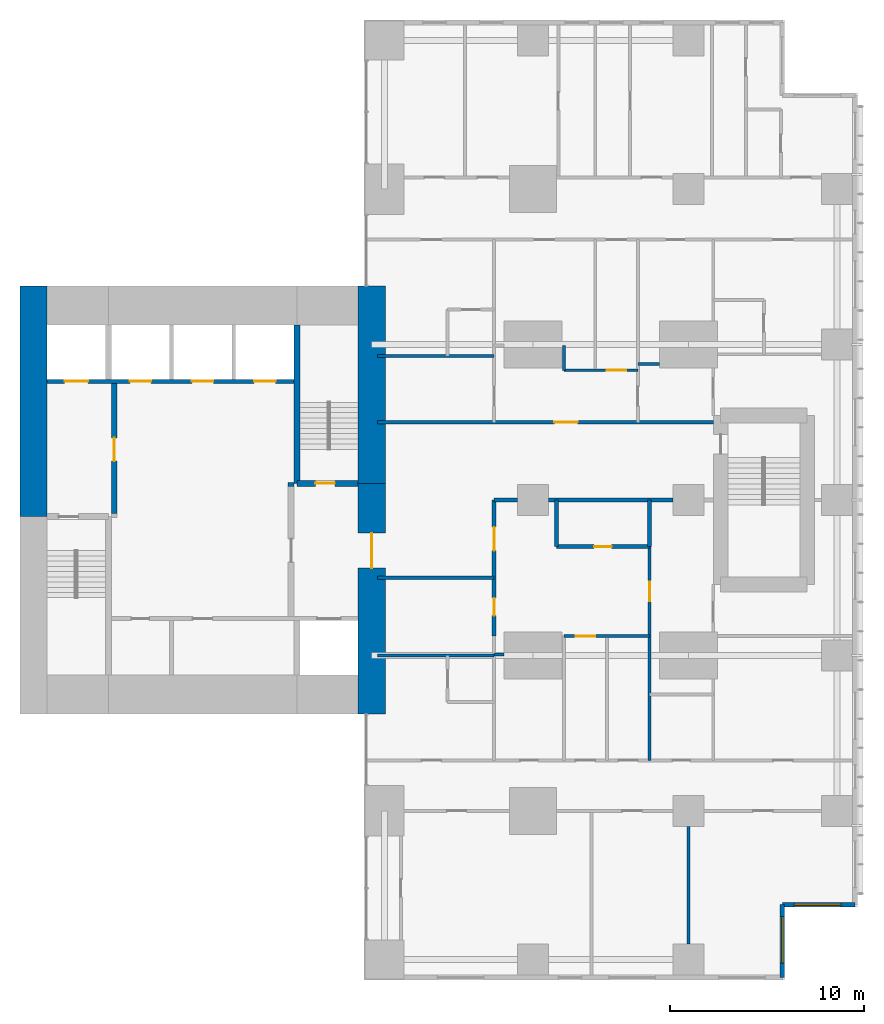
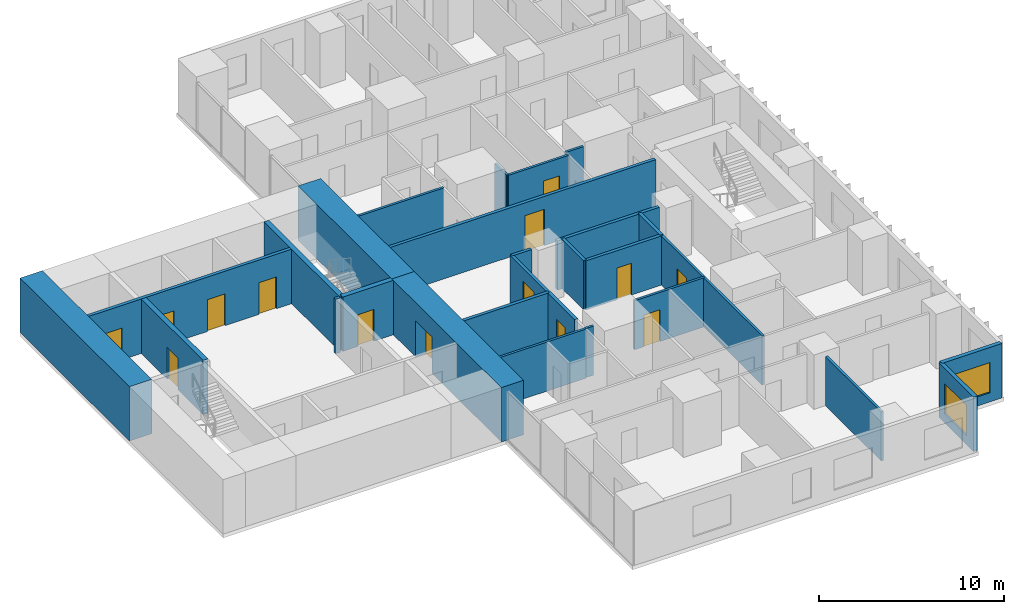
# One storey, part 8 of 12: 27 walls, 14 doors, 2 windows, 16 openings.
"""IFC4 building model written with IfcOpenShell, lengths in metres."""

from ifc_helpers import new_model, si_unit, direction, frame, frame_2d, origin, place, context, subcontext, project, spatial, rectangle, extrude, material, layer, layer_set, type_object, element, fill, save


model = new_model("IFC4")

# Units and contexts
model_context = context("Model", 3, precision=1e-05, world=origin(), true_north=direction((0.0, 1.0)))
body_context = subcontext(model_context, "Body", "Model", "MODEL_VIEW")
ifc_project = project(units=[si_unit("LENGTHUNIT", "METRE"), si_unit("AREAUNIT", "SQUARE_METRE"), si_unit("VOLUMEUNIT", "CUBIC_METRE"), si_unit("PLANEANGLEUNIT", "RADIAN"), si_unit("MASSUNIT", "GRAM", prefix="KILO")], contexts=[model_context])

# Site, building, storey
site_placement = place(None, origin())
site = spatial("IfcSite", under=ifc_project, at=site_placement, CompositionType="ELEMENT")
building_placement = place(site_placement, origin())
building = spatial("IfcBuilding", under=site, at=building_placement, Name="Cleftline Residences", CompositionType="ELEMENT")
storey_placement = place(building_placement, frame((0.0, 0.0, 273.60009765625)))
storey = spatial("IfcBuildingStorey", under=building, at=storey_placement, Name="L72", CompositionType="ELEMENT", Elevation=273.60009765625)

# Wall
ifc_material_1 = material(Name="Concrete B70", Category="concrete")
ifc_layer_1 = layer(ifc_material_1, 1.39990234375)
ifc_layer_set_1 = layer_set([ifc_layer_1], Name="CORE WALL 1400")
wall_type_1 = type_object("IfcWallType", Name="CORE WALL 1400", PredefinedType="SHEAR", material=ifc_layer_set_1)
wall_1_placement = place(storey_placement, frame((24.300048828125, 23.14990234375, 0.0), z_axis=(0.0, 0.0, 1.0), x_axis=(0.0, 1.0, 0.0)))
element("IfcWall", 1, at=wall_1_placement, inside=storey, type_object=wall_type_1, Name="Core wall W", PredefinedType="SHEAR", context=body_context, shape_type="SweptSolid", body=[
    extrude(rectangle(XDim=11.85009765625, YDim=1.39990234375, at=frame_2d((5.925048828125, 0.0))), origin(), (0.0, 0.0, 1.0), 3.599853515625),
])

# Wall, opening, door
wall_2_placement = place(storey_placement, frame((41.699951171875, 13.0, 0.0), z_axis=(0.0, 0.0, 1.0), x_axis=(0.0, 1.0, 0.0)))
wall_2 = element("IfcWall", 2, at=wall_2_placement, inside=storey, type_object=wall_type_1, Name="Core wall E", PredefinedType="SHEAR", context=body_context, shape_type="SweptSolid", body=[
    extrude(rectangle(XDim=11.85009765625, YDim=1.39990234375, at=frame_2d((5.925048828125, 0.0))), origin(), (0.0, 0.0, 1.0), 3.599853515625),
])
opening_1_placement = place(wall_2_placement, frame((7.5, 0.0, 0.0)))
opening_1 = element("IfcOpeningElement", 3, at=opening_1_placement, cuts=wall_2, Name="Opening D7", PredefinedType="OPENING", context=body_context, shape_type="SweptSolid", body=[
    extrude(rectangle(XDim=1.800048828125, YDim=2.39990234375, at=frame_2d((0.89990234375, 1.199951171875))), frame((0.0, 0.7099609375, 0.0), z_axis=(0.0, -1.0, 0.0), x_axis=(1.0, 0.0, 0.0)), (0.0, 0.0, 1.0), 1.419921875),
])
ifc_material_2 = material(Name="Steel", Category="steel")
door_type_1 = type_object("IfcDoorType", Name="WING DOOR 1800X2400", OperationType="DOUBLE_DOOR_DOUBLE_SWING", PredefinedType="DOOR", material=ifc_material_2)
door_1_placement = place(opening_1_placement, origin())
door_1 = element("IfcDoor", 4, at=door_1_placement, inside=storey, type_object=door_type_1, Name="East wing door", OperationType="DOUBLE_DOOR_DOUBLE_SWING", OverallHeight=2.39990234375, OverallWidth=1.800048828125, PredefinedType="DOOR", context=body_context, shape_type="SweptSolid", body=[
    extrude(rectangle(XDim=1.800048828125, YDim=2.39990234375, at=frame_2d((0.89990234375, 1.199951171875))), frame((0.0, 0.02490234375, 0.0), z_axis=(0.0, -1.0, 0.0), x_axis=(1.0, 0.0, 0.0)), (0.0, 0.0, 1.0), 0.050048828125),
])
fill(opening_1, door_1)

# Walls
wall_3_placement = place(storey_placement, frame((41.699951171875, 24.85009765625, 0.0), z_axis=(0.0, 0.0, 1.0), x_axis=(0.0, 1.0, 0.0)))
element("IfcWall", 5, at=wall_3_placement, inside=storey, type_object=wall_type_1, Name="Core wall E1", PredefinedType="SHEAR", context=body_context, shape_type="SweptSolid", body=[
    extrude(rectangle(XDim=10.14990234375, YDim=1.39990234375, at=frame_2d((5.074951171875, 0.0))), origin(), (0.0, 0.0, 1.0), 3.599853515625),
])
ifc_material_3 = material(Name="Concrete B70", Category="concrete")
ifc_layer_2 = layer(ifc_material_3, 0.300048828125)
ifc_layer_set_2 = layer_set([ifc_layer_2], Name="CORE WALL 300")
wall_type_2 = type_object("IfcWallType", Name="CORE WALL 300", PredefinedType="SHEAR", material=ifc_layer_set_2)
wall_4_placement = place(storey_placement, frame((37.85009765625, 24.85009765625, 0.0), z_axis=(0.0, 0.0, 1.0), x_axis=(0.0, 1.0, 0.0)))
element("IfcWall", 6, at=wall_4_placement, inside=storey, type_object=wall_type_2, Name="Core wall SB-W", PredefinedType="SHEAR", context=body_context, shape_type="SweptSolid", body=[
    extrude(rectangle(XDim=8.14990234375, YDim=0.300048828125, at=frame_2d((4.074951171875, 0.0))), origin(), (0.0, 0.0, 1.0), 3.599853515625),
])

# Wall, opening, door
wall_5_placement = place(storey_placement, frame((37.85009765625, 24.85009765625, 0.0), z_axis=(0.0, 0.0, 1.0), x_axis=(1.0, 0.0, 0.0)))
wall_5 = element("IfcWall", 7, at=wall_5_placement, inside=storey, type_object=wall_type_2, Name="Core wall SB-S", PredefinedType="SHEAR", context=body_context, shape_type="SweptSolid", body=[
    extrude(rectangle(XDim=3.14990234375, YDim=0.300048828125, at=frame_2d((1.574951171875, 0.0))), origin(), (0.0, 0.0, 1.0), 3.599853515625),
])
opening_2_placement = place(wall_5_placement, frame((0.949951171875, 0.0, 0.0)))
opening_2 = element("IfcOpeningElement", 8, at=opening_2_placement, cuts=wall_5, Name="Opening D5", PredefinedType="OPENING", context=body_context, shape_type="SweptSolid", body=[
    extrude(rectangle(XDim=1.0, YDim=2.10009765625, at=frame_2d((0.5, 1.050048828125))), frame((0.0, 0.159912109375, 0.0), z_axis=(0.0, -1.0, 0.0), x_axis=(1.0, 0.0, 0.0)), (0.0, 0.0, 1.0), 0.320068359375),
])
ifc_material_4 = material(Name="Steel", Category="steel")
door_type_2 = type_object("IfcDoorType", Name="STAIR DOOR 1000X2100", OperationType="SINGLE_SWING_LEFT", PredefinedType="DOOR", material=ifc_material_4)
door_2_placement = place(opening_2_placement, origin())
door_2 = element("IfcDoor", 9, at=door_2_placement, inside=storey, type_object=door_type_2, Name="Stair B door", OperationType="SINGLE_SWING_RIGHT", OverallHeight=2.10009765625, OverallWidth=1.0, PredefinedType="DOOR", context=body_context, shape_type="SweptSolid", body=[
    extrude(rectangle(XDim=1.0, YDim=2.10009765625, at=frame_2d((0.5, 1.050048828125))), frame((0.0, 0.02490234375, 0.0), z_axis=(0.0, -1.0, 0.0), x_axis=(1.0, 0.0, 0.0)), (0.0, 0.0, 1.0), 0.050048828125),
])
fill(opening_2, door_2)

# Wall, opening, window
ifc_material_5 = material(Name="Rendered reinforced concrete blockwork", Category="masonry")
ifc_layer_3 = layer(ifc_material_5, 0.25)
ifc_layer_set_3 = layer_set([ifc_layer_3], Name="EXTERNAL WALL 250")
wall_type_3 = type_object("IfcWallType", Name="EXTERNAL WALL 250", PredefinedType="SOLIDWALL", material=ifc_layer_set_3)
wall_6_placement = place(storey_placement, frame((62.824951171875, -0.574951171875, 0.0), z_axis=(0.0, 0.0, 1.0), x_axis=(0.0, 1.0, 0.0)))
wall_6 = element("IfcWall", 10, at=wall_6_placement, inside=storey, type_object=wall_type_3, Name="External wall", PredefinedType="SOLIDWALL", context=body_context, shape_type="SweptSolid", body=[
    extrude(rectangle(XDim=3.75, YDim=0.25, at=frame_2d((1.875, 0.0))), origin(), (0.0, 0.0, 1.0), 3.599853515625),
])
opening_3_placement = place(wall_6_placement, frame((0.737548828125, 0.0, 0.60009765625)))
opening_3 = element("IfcOpeningElement", 11, at=opening_3_placement, cuts=wall_6, Name="Opening W6", PredefinedType="OPENING", context=body_context, shape_type="SweptSolid", body=[
    extrude(rectangle(XDim=2.39990234375, YDim=2.0, at=frame_2d((1.199951171875, 1.0))), frame((0.0, 0.135009765625, 0.0), z_axis=(0.0, -1.0, 0.0), x_axis=(1.0, 0.0, 0.0)), (0.0, 0.0, 1.0), 0.27001953125),
])
ifc_material_6 = material(Name="Aluminium frame, clear double glazing", Category="aluminium")
window_type = type_object("IfcWindowType", Name="WINDOW 2400X2000", PartitioningType="DOUBLE_PANEL_VERTICAL", PredefinedType="WINDOW", material=ifc_material_6)
window_1_placement = place(opening_3_placement, origin())
window_1 = element("IfcWindow", 12, at=window_1_placement, inside=storey, type_object=window_type, Name="Window", OverallHeight=2.0, OverallWidth=2.39990234375, PartitioningType="SINGLE_PANEL", PredefinedType="WINDOW", context=body_context, shape_type="SweptSolid", body=[
    extrude(rectangle(XDim=2.39990234375, YDim=2.0, at=frame_2d((1.199951171875, 1.0))), frame((0.0, 0.030029296875, 0.0), z_axis=(0.0, -1.0, 0.0), x_axis=(1.0, 0.0, 0.0)), (0.0, 0.0, 1.0), 0.06005859375),
])
fill(opening_3, window_1)

wall_7_placement = place(storey_placement, frame((62.824951171875, 3.175048828125, 0.0), z_axis=(0.0, 0.0, 1.0), x_axis=(1.0, 0.0, 0.0)))
wall_7 = element("IfcWall", 13, at=wall_7_placement, inside=storey, type_object=wall_type_3, Name="External wall", PredefinedType="SOLIDWALL", context=body_context, shape_type="SweptSolid", body=[
    extrude(rectangle(XDim=3.75, YDim=0.25, at=frame_2d((1.875, 0.0))), origin(), (0.0, 0.0, 1.0), 3.599853515625),
])
opening_4_placement = place(wall_7_placement, frame((0.612548828125, 0.0, 0.60009765625)))
opening_4 = element("IfcOpeningElement", 14, at=opening_4_placement, cuts=wall_7, Name="Opening W6", PredefinedType="OPENING", context=body_context, shape_type="SweptSolid", body=[
    extrude(rectangle(XDim=2.39990234375, YDim=2.0, at=frame_2d((1.199951171875, 1.0))), frame((0.0, 0.135009765625, 0.0), z_axis=(0.0, -1.0, 0.0), x_axis=(1.0, 0.0, 0.0)), (0.0, 0.0, 1.0), 0.27001953125),
])
window_2_placement = place(opening_4_placement, origin())
window_2 = element("IfcWindow", 15, at=window_2_placement, inside=storey, type_object=window_type, Name="Window", OverallHeight=2.0, OverallWidth=2.39990234375, PartitioningType="SINGLE_PANEL", PredefinedType="WINDOW", context=body_context, shape_type="SweptSolid", body=[
    extrude(rectangle(XDim=2.39990234375, YDim=2.0, at=frame_2d((1.199951171875, 1.0))), frame((0.0, 0.030029296875, 0.0), z_axis=(0.0, -1.0, 0.0), x_axis=(1.0, 0.0, 0.0)), (0.0, 0.0, 1.0), 0.06005859375),
])
fill(opening_4, window_2)

# Wall
ifc_material_7 = material(Name="Concrete blockwork, fire rated", Category="masonry")
ifc_layer_4 = layer(ifc_material_7, 0.199951171875)
ifc_layer_set_4 = layer_set([ifc_layer_4], Name="FIRE WALL 200")
wall_type_4 = type_object("IfcWallType", Name="FIRE WALL 200", PredefinedType="PARTITIONING", material=ifc_layer_set_4)
wall_8_placement = place(storey_placement, frame((42.0, 20.0, 0.0), z_axis=(0.0, 0.0, 1.0), x_axis=(1.0, 0.0, 0.0)))
element("IfcWall", 16, at=wall_8_placement, inside=storey, type_object=wall_type_4, Name="Fire separating wall", PredefinedType="PARTITIONING", context=body_context, shape_type="SweptSolid", body=[
    extrude(rectangle(XDim=6.0, YDim=0.199951171875, at=frame_2d((3.0, 0.0))), origin(), (0.0, 0.0, 1.0), 3.25),
])

# Wall, opening, door
wall_9_placement = place(storey_placement, frame((51.199951171875, 21.60009765625, 0.0), z_axis=(0.0, 0.0, 1.0), x_axis=(1.0, 0.0, 0.0)))
wall_9 = element("IfcWall", 17, at=wall_9_placement, inside=storey, type_object=wall_type_4, Name="Fire separating wall", PredefinedType="PARTITIONING", context=body_context, shape_type="SweptSolid", body=[
    extrude(rectangle(XDim=4.800048828125, YDim=0.199951171875, at=frame_2d((2.39990234375, 0.0))), origin(), (0.0, 0.0, 1.0), 3.25),
])
opening_5_placement = place(wall_9_placement, frame((1.949951171875, 0.0, 0.0)))
opening_5 = element("IfcOpeningElement", 18, at=opening_5_placement, cuts=wall_9, Name="Opening D1F30", PredefinedType="OPENING", context=body_context, shape_type="SweptSolid", body=[
    extrude(rectangle(XDim=0.89990234375, YDim=2.10009765625, at=frame_2d((0.449951171875, 1.050048828125))), frame((0.0, 0.10986328125, 0.0), z_axis=(0.0, -1.0, 0.0), x_axis=(1.0, 0.0, 0.0)), (0.0, 0.0, 1.0), 0.219970703125),
])
ifc_material_8 = material(Name="Timber veneer on solid core", Category="wood")
door_type_3 = type_object("IfcDoorType", Name="DOOR 900X2100 EI 30", OperationType="SINGLE_SWING_LEFT", PredefinedType="DOOR", material=ifc_material_8)
door_3_placement = place(opening_5_placement, origin())
door_3 = element("IfcDoor", 19, at=door_3_placement, inside=storey, type_object=door_type_3, Name="Door to cloakroom wc", OperationType="SINGLE_SWING_LEFT", OverallHeight=2.10009765625, OverallWidth=0.89990234375, PredefinedType="DOOR", context=body_context, shape_type="SweptSolid", body=[
    extrude(rectangle(XDim=0.89990234375, YDim=2.10009765625, at=frame_2d((0.449951171875, 1.050048828125))), frame((0.0, 0.02490234375, 0.0), z_axis=(0.0, -1.0, 0.0), x_axis=(1.0, 0.0, 0.0)), (0.0, 0.0, 1.0), 0.050048828125),
])
fill(opening_5, door_3)

# Walls
wall_10_placement = place(storey_placement, frame((48.0, 24.0, 0.0), z_axis=(0.0, 0.0, 1.0), x_axis=(1.0, 0.0, 0.0)))
element("IfcWall", 20, at=wall_10_placement, inside=storey, type_object=wall_type_4, Name="Fire separating wall", PredefinedType="PARTITIONING", context=body_context, shape_type="SweptSolid", body=[
    extrude(rectangle(XDim=1.199951171875, YDim=0.199951171875, at=frame_2d((0.60009765625, 0.0))), origin(), (0.0, 0.0, 1.0), 3.25),
])
wall_11_placement = place(storey_placement, frame((50.800048828125, 24.0, 0.0), z_axis=(0.0, 0.0, 1.0), x_axis=(1.0, 0.0, 0.0)))
element("IfcWall", 21, at=wall_11_placement, inside=storey, type_object=wall_type_4, Name="Fire separating wall", PredefinedType="PARTITIONING", context=body_context, shape_type="SweptSolid", body=[
    extrude(rectangle(XDim=6.39990234375, YDim=0.199951171875, at=frame_2d((3.199951171875, 0.0))), origin(), (0.0, 0.0, 1.0), 3.25),
])

# Wall, opening, door
wall_12_placement = place(storey_placement, frame((42.0, 28.0, 0.0), z_axis=(0.0, 0.0, 1.0), x_axis=(1.0, 0.0, 0.0)))
wall_12 = element("IfcWall", 22, at=wall_12_placement, inside=storey, type_object=wall_type_4, Name="Fire separating wall", PredefinedType="PARTITIONING", context=body_context, shape_type="SweptSolid", body=[
    extrude(rectangle(XDim=17.27490234375, YDim=0.199951171875, at=frame_2d((8.637451171875, 0.0))), origin(), (0.0, 0.0, 1.0), 3.25),
])
opening_6_placement = place(wall_12_placement, frame((9.10009765625, 0.0, 0.0)))
opening_6 = element("IfcOpeningElement", 23, at=opening_6_placement, cuts=wall_12, Name="Opening D4", PredefinedType="OPENING", context=body_context, shape_type="SweptSolid", body=[
    extrude(rectangle(XDim=1.199951171875, YDim=2.39990234375, at=frame_2d((0.60009765625, 1.199951171875))), frame((0.0, 0.10986328125, 0.0), z_axis=(0.0, -1.0, 0.0), x_axis=(1.0, 0.0, 0.0)), (0.0, 0.0, 1.0), 0.219970703125),
])
ifc_material_9 = material(Name="Timber veneer on solid core", Category="wood")
door_type_4 = type_object("IfcDoorType", Name="APARTMENT ENTRANCE DOOR 1200X2400", OperationType="SINGLE_SWING_RIGHT", PredefinedType="DOOR", material=ifc_material_9)
door_4_placement = place(opening_6_placement, origin())
door_4 = element("IfcDoor", 24, at=door_4_placement, inside=storey, type_object=door_type_4, Name="Door to residence entrance (gallery)", OperationType="SINGLE_SWING_LEFT", OverallHeight=2.39990234375, OverallWidth=1.199951171875, PredefinedType="DOOR", context=body_context, shape_type="SweptSolid", body=[
    extrude(rectangle(XDim=1.199951171875, YDim=2.39990234375, at=frame_2d((0.60009765625, 1.199951171875))), frame((0.0, 0.02490234375, 0.0), z_axis=(0.0, -1.0, 0.0), x_axis=(1.0, 0.0, 0.0)), (0.0, 0.0, 1.0), 0.050048828125),
])
fill(opening_6, door_4)

# Wall, openings, doors
wall_13_placement = place(storey_placement, frame((48.0, 17.0, 0.0), z_axis=(0.0, 0.0, 1.0), x_axis=(0.0, 1.0, 0.0)))
wall_13 = element("IfcWall", 25, at=wall_13_placement, inside=storey, type_object=wall_type_4, Name="Fire separating wall", PredefinedType="PARTITIONING", context=body_context, shape_type="SweptSolid", body=[
    extrude(rectangle(XDim=7.0, YDim=0.199951171875, at=frame_2d((3.5, 0.0))), origin(), (0.0, 0.0, 1.0), 3.25),
])
opening_7_placement = place(wall_13_placement, frame((4.39990234375, 0.0, 0.0)))
opening_7 = element("IfcOpeningElement", 26, at=opening_7_placement, cuts=wall_13, Name="Opening D4", PredefinedType="OPENING", context=body_context, shape_type="SweptSolid", body=[
    extrude(rectangle(XDim=1.199951171875, YDim=2.39990234375, at=frame_2d((0.60009765625, 1.199951171875))), frame((0.0, 0.10986328125, 0.0), z_axis=(0.0, -1.0, 0.0), x_axis=(1.0, 0.0, 0.0)), (0.0, 0.0, 1.0), 0.219970703125),
])
opening_8_placement = place(wall_13_placement, frame((1.050048828125, 0.0, 0.0)))
opening_8 = element("IfcOpeningElement", 27, at=opening_8_placement, cuts=wall_13, Name="Opening D1F30", PredefinedType="OPENING", context=body_context, shape_type="SweptSolid", body=[
    extrude(rectangle(XDim=0.89990234375, YDim=2.10009765625, at=frame_2d((0.449951171875, 1.050048828125))), frame((0.0, 0.10986328125, 0.0), z_axis=(0.0, -1.0, 0.0), x_axis=(1.0, 0.0, 0.0)), (0.0, 0.0, 1.0), 0.219970703125),
])
door_5_placement = place(opening_7_placement, origin())
door_5 = element("IfcDoor", 28, at=door_5_placement, inside=storey, type_object=door_type_4, Name="Door to residence entrance foyer", OperationType="SINGLE_SWING_LEFT", OverallHeight=2.39990234375, OverallWidth=1.199951171875, PredefinedType="DOOR", context=body_context, shape_type="SweptSolid", body=[
    extrude(rectangle(XDim=1.199951171875, YDim=2.39990234375, at=frame_2d((0.60009765625, 1.199951171875))), frame((0.0, 0.02490234375, 0.0), z_axis=(0.0, -1.0, 0.0), x_axis=(1.0, 0.0, 0.0)), (0.0, 0.0, 1.0), 0.050048828125),
])
fill(opening_7, door_5)
door_6_placement = place(opening_8_placement, origin())
door_6 = element("IfcDoor", 29, at=door_6_placement, inside=storey, type_object=door_type_3, Name="Door to laundry", OperationType="SINGLE_SWING_RIGHT", OverallHeight=2.10009765625, OverallWidth=0.89990234375, PredefinedType="DOOR", context=body_context, shape_type="SweptSolid", body=[
    extrude(rectangle(XDim=0.89990234375, YDim=2.10009765625, at=frame_2d((0.449951171875, 1.050048828125))), frame((0.0, 0.02490234375, 0.0), z_axis=(0.0, -1.0, 0.0), x_axis=(1.0, 0.0, 0.0)), (0.0, 0.0, 1.0), 0.050048828125),
])
fill(opening_8, door_6)

# Walls
for number, where, z_axis, x_axis, name in (
    (30, (51.199951171875, 21.60009765625, 0.0), (0.0, 0.0, 1.0), (0.0, 1.0, 0.0), "Fire separating wall"),
    (31, (56.0, 21.60009765625, 0.0), (0.0, 0.0, 1.0), (0.0, 1.0, 0.0), "Fire separating wall"),
):
    element("IfcWall", number, at=place(storey_placement, frame(where, z_axis=z_axis, x_axis=x_axis)), inside=storey, type_object=wall_type_4, Name=name, PredefinedType="PARTITIONING", context=body_context, shape_type="SweptSolid", body=[
        extrude(rectangle(XDim=2.39990234375, YDim=0.199951171875, at=frame_2d((1.199951171875, 0.0))), origin(), (0.0, 0.0, 1.0), 3.25),
    ])
wall_14_placement = place(storey_placement, frame((37.39990234375, 24.800048828125, 0.0), z_axis=(0.0, 0.0, 1.0), x_axis=(1.0, 0.0, 0.0)))
element("IfcWall", 32, at=wall_14_placement, inside=storey, type_object=wall_type_4, Name="Fire separating wall", PredefinedType="PARTITIONING", context=body_context, shape_type="SweptSolid", body=[
    extrude(rectangle(XDim=0.300048828125, YDim=0.199951171875, at=frame_2d((0.14990234375, 0.0))), origin(), (0.0, 0.0, 1.0), 3.599853515625),
])
ifc_material_10 = material(Name="Gypsum board on steel studs", Category="steel")
ifc_layer_5 = layer(ifc_material_10, 0.14990234375)
ifc_layer_set_5 = layer_set([ifc_layer_5], Name="PARTITION 150")
wall_type_5 = type_object("IfcWallType", Name="PARTITION 150", PredefinedType="PARTITIONING", material=ifc_layer_set_5)
wall_15_placement = place(storey_placement, frame((42.0, 16.0, 0.0), z_axis=(0.0, 0.0, 1.0), x_axis=(1.0, 0.0, 0.0)))
element("IfcWall", 33, at=wall_15_placement, inside=storey, type_object=wall_type_5, Name="Partition", PredefinedType="PARTITIONING", context=body_context, shape_type="SweptSolid", body=[
    extrude(rectangle(XDim=6.0, YDim=0.14990234375, at=frame_2d((3.0, 0.0))), origin(), (0.0, 0.0, 1.0), 3.25),
])
wall_16_placement = place(storey_placement, frame((48.0, 16.050048828125, 0.0), z_axis=(0.0, 0.0, 1.0), x_axis=(1.0, 0.0, 0.0)))
element("IfcWall", 34, at=wall_16_placement, inside=storey, type_object=wall_type_5, Name="Partition", PredefinedType="PARTITIONING", context=body_context, shape_type="SweptSolid", body=[
    extrude(rectangle(XDim=0.5, YDim=0.14990234375, at=frame_2d((0.25, 0.0))), origin(), (0.0, 0.0, 1.0), 3.25),
])

# Wall, opening, door
wall_17_placement = place(storey_placement, frame((51.60009765625, 17.0, 0.0), z_axis=(0.0, 0.0, 1.0), x_axis=(1.0, 0.0, 0.0)))
wall_17 = element("IfcWall", 35, at=wall_17_placement, inside=storey, type_object=wall_type_5, Name="Partition", PredefinedType="PARTITIONING", context=body_context, shape_type="SweptSolid", body=[
    extrude(rectangle(XDim=4.39990234375, YDim=0.14990234375, at=frame_2d((2.199951171875, 0.0))), origin(), (0.0, 0.0, 1.0), 3.25),
])
opening_9_placement = place(wall_17_placement, frame((0.60009765625, 0.0, 0.0)))
opening_9 = element("IfcOpeningElement", 36, at=opening_9_placement, cuts=wall_17, Name="Opening D2", PredefinedType="OPENING", context=body_context, shape_type="SweptSolid", body=[
    extrude(rectangle(XDim=1.0, YDim=2.10009765625, at=frame_2d((0.5, 1.050048828125))), frame((0.0, 0.0849609375, 0.0), z_axis=(0.0, -1.0, 0.0), x_axis=(1.0, 0.0, 0.0)), (0.0, 0.0, 1.0), 0.169921875),
])
ifc_material_11 = material(Name="Timber veneer on solid core", Category="wood")
door_type_5 = type_object("IfcDoorType", Name="DOOR 1000X2100", OperationType="SINGLE_SWING_LEFT", PredefinedType="DOOR", material=ifc_material_11)
door_7_placement = place(opening_9_placement, origin())
door_7 = element("IfcDoor", 37, at=door_7_placement, inside=storey, type_object=door_type_5, Name="Door to residence passage", OperationType="SINGLE_SWING_RIGHT", OverallHeight=2.10009765625, OverallWidth=1.0, PredefinedType="DOOR", context=body_context, shape_type="SweptSolid", body=[
    extrude(rectangle(XDim=1.0, YDim=2.10009765625, at=frame_2d((0.5, 1.050048828125))), frame((0.0, 0.02490234375, 0.0), z_axis=(0.0, -1.0, 0.0), x_axis=(1.0, 0.0, 0.0)), (0.0, 0.0, 1.0), 0.050048828125),
])
fill(opening_9, door_7)

wall_18_placement = place(storey_placement, frame((51.60009765625, 30.675048828125, 0.0), z_axis=(0.0, 0.0, 1.0), x_axis=(1.0, 0.0, 0.0)))
wall_18 = element("IfcWall", 38, at=wall_18_placement, inside=storey, type_object=wall_type_5, Name="Partition", PredefinedType="PARTITIONING", context=body_context, shape_type="SweptSolid", body=[
    extrude(rectangle(XDim=3.7998046875, YDim=0.14990234375, at=frame_2d((1.89990234375, 0.0))), origin(), (0.0, 0.0, 1.0), 3.25),
])
opening_10_placement = place(wall_18_placement, frame((2.199951171875, 0.0, 0.0)))
opening_10 = element("IfcOpeningElement", 39, at=opening_10_placement, cuts=wall_18, Name="Opening D2", PredefinedType="OPENING", context=body_context, shape_type="SweptSolid", body=[
    extrude(rectangle(XDim=1.0, YDim=2.10009765625, at=frame_2d((0.5, 1.050048828125))), frame((0.0, 0.0849609375, 0.0), z_axis=(0.0, -1.0, 0.0), x_axis=(1.0, 0.0, 0.0)), (0.0, 0.0, 1.0), 0.169921875),
])
door_8_placement = place(opening_10_placement, origin())
door_8 = element("IfcDoor", 40, at=door_8_placement, inside=storey, type_object=door_type_5, Name="Door to residence passage", OperationType="SINGLE_SWING_LEFT", OverallHeight=2.10009765625, OverallWidth=1.0, PredefinedType="DOOR", context=body_context, shape_type="SweptSolid", body=[
    extrude(rectangle(XDim=1.0, YDim=2.10009765625, at=frame_2d((0.5, 1.050048828125))), frame((0.0, 0.02490234375, 0.0), z_axis=(0.0, -1.0, 0.0), x_axis=(1.0, 0.0, 0.0)), (0.0, 0.0, 1.0), 0.050048828125),
])
fill(opening_10, door_8)

# Walls
wall_19_placement = place(storey_placement, frame((55.39990234375, 31.0, 0.0), z_axis=(0.0, 0.0, 1.0), x_axis=(1.0, 0.0, 0.0)))
element("IfcWall", 41, at=wall_19_placement, inside=storey, type_object=wall_type_5, Name="Partition", PredefinedType="PARTITIONING", context=body_context, shape_type="SweptSolid", body=[
    extrude(rectangle(XDim=1.10009765625, YDim=0.14990234375, at=frame_2d((0.550048828125, 0.0))), origin(), (0.0, 0.0, 1.0), 3.25),
])
wall_20_placement = place(storey_placement, frame((42.0, 31.39990234375, 0.0), z_axis=(0.0, 0.0, 1.0), x_axis=(1.0, 0.0, 0.0)))
element("IfcWall", 42, at=wall_20_placement, inside=storey, type_object=wall_type_5, Name="Partition", PredefinedType="PARTITIONING", context=body_context, shape_type="SweptSolid", body=[
    extrude(rectangle(XDim=6.0, YDim=0.14990234375, at=frame_2d((3.0, 0.0))), origin(), (0.0, 0.0, 1.0), 3.25),
])
wall_21_placement = place(storey_placement, frame((51.60009765625, 30.675048828125, 0.0), z_axis=(0.0, 0.0, 1.0), x_axis=(0.0, 1.0, 0.0)))
element("IfcWall", 43, at=wall_21_placement, inside=storey, type_object=wall_type_5, Name="Partition", PredefinedType="PARTITIONING", context=body_context, shape_type="SweptSolid", body=[
    extrude(rectangle(XDim=1.27490234375, YDim=0.14990234375, at=frame_2d((0.637451171875, 0.0))), origin(), (0.0, 0.0, 1.0), 3.25),
])

# Wall, opening, door
wall_22_placement = place(storey_placement, frame((56.0, 10.60009765625, 0.0), z_axis=(0.0, 0.0, 1.0), x_axis=(0.0, 1.0, 0.0)))
wall_22 = element("IfcWall", 44, at=wall_22_placement, inside=storey, type_object=wall_type_5, Name="Partition", PredefinedType="PARTITIONING", context=body_context, shape_type="SweptSolid", body=[
    extrude(rectangle(XDim=11.0, YDim=0.14990234375, at=frame_2d((5.5, 0.0))), origin(), (0.0, 0.0, 1.0), 3.25),
])
opening_11_placement = place(wall_22_placement, frame((8.199951171875, 0.0, 0.0)))
opening_11 = element("IfcOpeningElement", 45, at=opening_11_placement, cuts=wall_22, Name="Opening D2F30", PredefinedType="OPENING", context=body_context, shape_type="SweptSolid", body=[
    extrude(rectangle(XDim=1.0, YDim=2.10009765625, at=frame_2d((0.5, 1.050048828125))), frame((0.0, 0.0849609375, 0.0), z_axis=(0.0, -1.0, 0.0), x_axis=(1.0, 0.0, 0.0)), (0.0, 0.0, 1.0), 0.169921875),
])
ifc_material_12 = material(Name="Timber veneer on solid core", Category="wood")
door_type_6 = type_object("IfcDoorType", Name="DOOR 1000X2100 EI 30", OperationType="SINGLE_SWING_LEFT", PredefinedType="DOOR", material=ifc_material_12)
door_9_placement = place(opening_11_placement, origin())
door_9 = element("IfcDoor", 46, at=door_9_placement, inside=storey, type_object=door_type_6, Name="Door to residence lobby", OperationType="SINGLE_SWING_LEFT", OverallHeight=2.10009765625, OverallWidth=1.0, PredefinedType="DOOR", context=body_context, shape_type="SweptSolid", body=[
    extrude(rectangle(XDim=1.0, YDim=2.10009765625, at=frame_2d((0.5, 1.050048828125))), frame((0.0, 0.02490234375, 0.0), z_axis=(0.0, -1.0, 0.0), x_axis=(1.0, 0.0, 0.0)), (0.0, 0.0, 1.0), 0.050048828125),
])
fill(opening_11, door_9)

# Wall
wall_23_placement = place(storey_placement, frame((58.0, 1.14990234375, 0.0), z_axis=(0.0, 0.0, 1.0), x_axis=(0.0, 1.0, 0.0)))
element("IfcWall", 47, at=wall_23_placement, inside=storey, type_object=wall_type_5, Name="Partition", PredefinedType="PARTITIONING", context=body_context, shape_type="SweptSolid", body=[
    extrude(rectangle(XDim=6.050048828125, YDim=0.14990234375, at=frame_2d((3.02490234375, 0.0))), origin(), (0.0, 0.0, 1.0), 3.25),
])

# Wall, openings, doors
ifc_material_13 = material(Name="Concrete blockwork, fire rated", Category="masonry")
ifc_layer_6 = layer(ifc_material_13, 0.199951171875)
ifc_layer_set_6 = layer_set([ifc_layer_6], Name="SHAFT WALL 200")
wall_type_6 = type_object("IfcWallType", Name="SHAFT WALL 200", PredefinedType="PARTITIONING", material=ifc_layer_set_6)
wall_24_placement = place(storey_placement, frame((25.0, 30.10009765625, 0.0), z_axis=(0.0, 0.0, 1.0), x_axis=(1.0, 0.0, 0.0)))
wall_24 = element("IfcWall", 48, at=wall_24_placement, inside=storey, type_object=wall_type_6, Name="Lift shaft wall", PredefinedType="PARTITIONING", context=body_context, shape_type="SweptSolid", body=[
    extrude(rectangle(XDim=12.699951171875, YDim=0.199951171875, at=frame_2d((6.35009765625, 0.0))), origin(), (0.0, 0.0, 1.0), 3.599853515625),
])
opening_12_placement = place(wall_24_placement, frame((4.25, 0.0, 0.0)))
opening_12 = element("IfcOpeningElement", 49, at=opening_12_placement, cuts=wall_24, Name="Opening LD1", PredefinedType="OPENING", context=body_context, shape_type="SweptSolid", body=[
    extrude(rectangle(XDim=1.10009765625, YDim=2.10009765625, at=frame_2d((0.550048828125, 1.050048828125))), frame((0.0, 0.10986328125, 0.0), z_axis=(0.0, -1.0, 0.0), x_axis=(1.0, 0.0, 0.0)), (0.0, 0.0, 1.0), 0.219970703125),
])
opening_13_placement = place(wall_24_placement, frame((7.449951171875, 0.0, 0.0)))
opening_13 = element("IfcOpeningElement", 50, at=opening_13_placement, cuts=wall_24, Name="Opening LD1", PredefinedType="OPENING", context=body_context, shape_type="SweptSolid", body=[
    extrude(rectangle(XDim=1.10009765625, YDim=2.10009765625, at=frame_2d((0.550048828125, 1.050048828125))), frame((0.0, 0.10986328125, 0.0), z_axis=(0.0, -1.0, 0.0), x_axis=(1.0, 0.0, 0.0)), (0.0, 0.0, 1.0), 0.219970703125),
])
opening_14_placement = place(wall_24_placement, frame((10.64990234375, 0.0, 0.0)))
opening_14 = element("IfcOpeningElement", 51, at=opening_14_placement, cuts=wall_24, Name="Opening LD1", PredefinedType="OPENING", context=body_context, shape_type="SweptSolid", body=[
    extrude(rectangle(XDim=1.10009765625, YDim=2.10009765625, at=frame_2d((0.550048828125, 1.050048828125))), frame((0.0, 0.10986328125, 0.0), z_axis=(0.0, -1.0, 0.0), x_axis=(1.0, 0.0, 0.0)), (0.0, 0.0, 1.0), 0.219970703125),
])
opening_15_placement = place(wall_24_placement, frame((0.89990234375, 0.0, 0.0)))
opening_15 = element("IfcOpeningElement", 52, at=opening_15_placement, cuts=wall_24, Name="Opening LD2", PredefinedType="OPENING", context=body_context, shape_type="SweptSolid", body=[
    extrude(rectangle(XDim=1.199951171875, YDim=2.10009765625, at=frame_2d((0.60009765625, 1.050048828125))), frame((0.0, 0.10986328125, 0.0), z_axis=(0.0, -1.0, 0.0), x_axis=(1.0, 0.0, 0.0)), (0.0, 0.0, 1.0), 0.219970703125),
])
ifc_material_14 = material(Name="Steel", Category="steel")
door_type_7 = type_object("IfcDoorType", Name="FIREFIGHTING LIFT LANDING DOOR 1200X2100", OperationType="SLIDING_TO_LEFT", PredefinedType="DOOR", material=ifc_material_14)
door_10_placement = place(opening_15_placement, origin())
door_10 = element("IfcDoor", 53, at=door_10_placement, inside=storey, type_object=door_type_7, Name="Lift FL1 landing door", OperationType="SLIDING_TO_LEFT", OverallHeight=2.10009765625, OverallWidth=1.199951171875, PredefinedType="DOOR", context=body_context, shape_type="SweptSolid", body=[
    extrude(rectangle(XDim=1.199951171875, YDim=2.10009765625, at=frame_2d((0.60009765625, 1.050048828125))), frame((0.0, 0.02490234375, 0.0), z_axis=(0.0, -1.0, 0.0), x_axis=(1.0, 0.0, 0.0)), (0.0, 0.0, 1.0), 0.050048828125),
])
fill(opening_15, door_10)
ifc_material_15 = material(Name="Steel", Category="steel")
door_type_8 = type_object("IfcDoorType", Name="LIFT LANDING DOOR 1100X2100", OperationType="SLIDING_TO_LEFT", PredefinedType="DOOR", material=ifc_material_15)
door_11_placement = place(opening_12_placement, origin())
door_11 = element("IfcDoor", 54, at=door_11_placement, inside=storey, type_object=door_type_8, Name="Lift P4 landing door", OperationType="SLIDING_TO_LEFT", OverallHeight=2.10009765625, OverallWidth=1.10009765625, PredefinedType="DOOR", context=body_context, shape_type="SweptSolid", body=[
    extrude(rectangle(XDim=1.10009765625, YDim=2.10009765625, at=frame_2d((0.550048828125, 1.050048828125))), frame((0.0, 0.02490234375, 0.0), z_axis=(0.0, -1.0, 0.0), x_axis=(1.0, 0.0, 0.0)), (0.0, 0.0, 1.0), 0.050048828125),
])
fill(opening_12, door_11)
door_12_placement = place(opening_13_placement, origin())
door_12 = element("IfcDoor", 55, at=door_12_placement, inside=storey, type_object=door_type_8, Name="Lift P5 landing door", OperationType="SLIDING_TO_LEFT", OverallHeight=2.10009765625, OverallWidth=1.10009765625, PredefinedType="DOOR", context=body_context, shape_type="SweptSolid", body=[
    extrude(rectangle(XDim=1.10009765625, YDim=2.10009765625, at=frame_2d((0.550048828125, 1.050048828125))), frame((0.0, 0.02490234375, 0.0), z_axis=(0.0, -1.0, 0.0), x_axis=(1.0, 0.0, 0.0)), (0.0, 0.0, 1.0), 0.050048828125),
])
fill(opening_13, door_12)
door_13_placement = place(opening_14_placement, origin())
door_13 = element("IfcDoor", 56, at=door_13_placement, inside=storey, type_object=door_type_8, Name="Lift P6 landing door", OperationType="SLIDING_TO_LEFT", OverallHeight=2.10009765625, OverallWidth=1.10009765625, PredefinedType="DOOR", context=body_context, shape_type="SweptSolid", body=[
    extrude(rectangle(XDim=1.10009765625, YDim=2.10009765625, at=frame_2d((0.550048828125, 1.050048828125))), frame((0.0, 0.02490234375, 0.0), z_axis=(0.0, -1.0, 0.0), x_axis=(1.0, 0.0, 0.0)), (0.0, 0.0, 1.0), 0.050048828125),
])
fill(opening_14, door_13)

# Wall, opening, door
ifc_material_16 = material(Name="Concrete blockwork, fire rated", Category="masonry")
ifc_layer_7 = layer(ifc_material_16, 0.300048828125)
ifc_layer_set_7 = layer_set([ifc_layer_7], Name="STAIR LOBBY WALL 300")
wall_type_7 = type_object("IfcWallType", Name="STAIR LOBBY WALL 300", PredefinedType="PARTITIONING", material=ifc_layer_set_7)
wall_25_placement = place(storey_placement, frame((28.449951171875, 23.300048828125, 0.0), z_axis=(0.0, 0.0, 1.0), x_axis=(0.0, 1.0, 0.0)))
wall_25 = element("IfcWall", 57, at=wall_25_placement, inside=storey, type_object=wall_type_7, Name="Stair and lobby wall FA-E", PredefinedType="PARTITIONING", context=body_context, shape_type="SweptSolid", body=[
    extrude(rectangle(XDim=6.699951171875, YDim=0.300048828125, at=frame_2d((3.35009765625, 0.0))), origin(), (0.0, 0.0, 1.0), 3.599853515625),
])
opening_16_placement = place(wall_25_placement, frame((2.699951171875, 0.0, 0.0)))
opening_16 = element("IfcOpeningElement", 58, at=opening_16_placement, cuts=wall_25, Name="Opening D6", PredefinedType="OPENING", context=body_context, shape_type="SweptSolid", body=[
    extrude(rectangle(XDim=1.199951171875, YDim=2.10009765625, at=frame_2d((0.60009765625, 1.050048828125))), frame((0.0, 0.159912109375, 0.0), z_axis=(0.0, -1.0, 0.0), x_axis=(1.0, 0.0, 0.0)), (0.0, 0.0, 1.0), 0.320068359375),
])
ifc_material_17 = material(Name="Steel", Category="steel")
door_type_9 = type_object("IfcDoorType", Name="LOBBY DOOR 1200X2100", OperationType="SINGLE_SWING_RIGHT", PredefinedType="DOOR", material=ifc_material_17)
door_14_placement = place(opening_16_placement, origin())
door_14 = element("IfcDoor", 59, at=door_14_placement, inside=storey, type_object=door_type_9, Name="Firefighting lobby A door", OperationType="SINGLE_SWING_RIGHT", OverallHeight=2.10009765625, OverallWidth=1.199951171875, PredefinedType="DOOR", context=body_context, shape_type="SweptSolid", body=[
    extrude(rectangle(XDim=1.199951171875, YDim=2.10009765625, at=frame_2d((0.60009765625, 1.050048828125))), frame((0.0, 0.02490234375, 0.0), z_axis=(0.0, -1.0, 0.0), x_axis=(1.0, 0.0, 0.0)), (0.0, 0.0, 1.0), 0.050048828125),
])
fill(opening_16, door_14)

save(model, "model.ifc")
